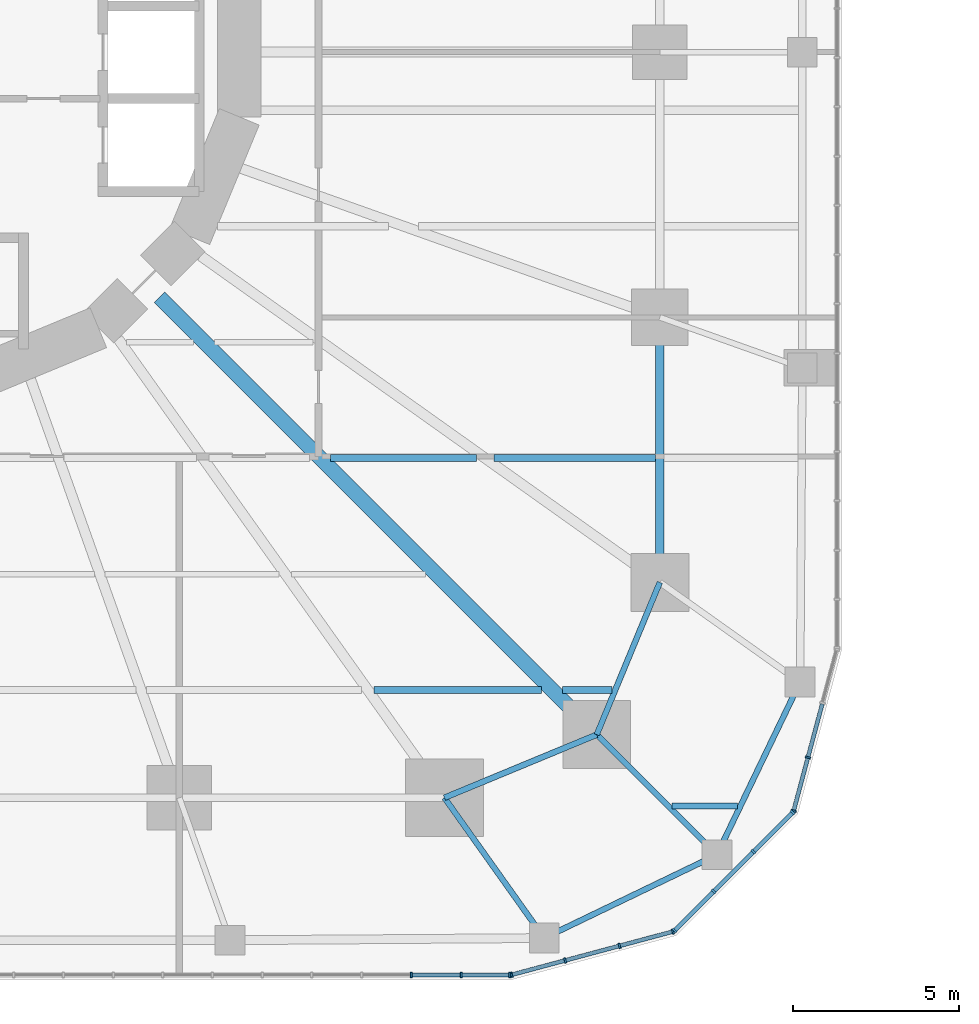
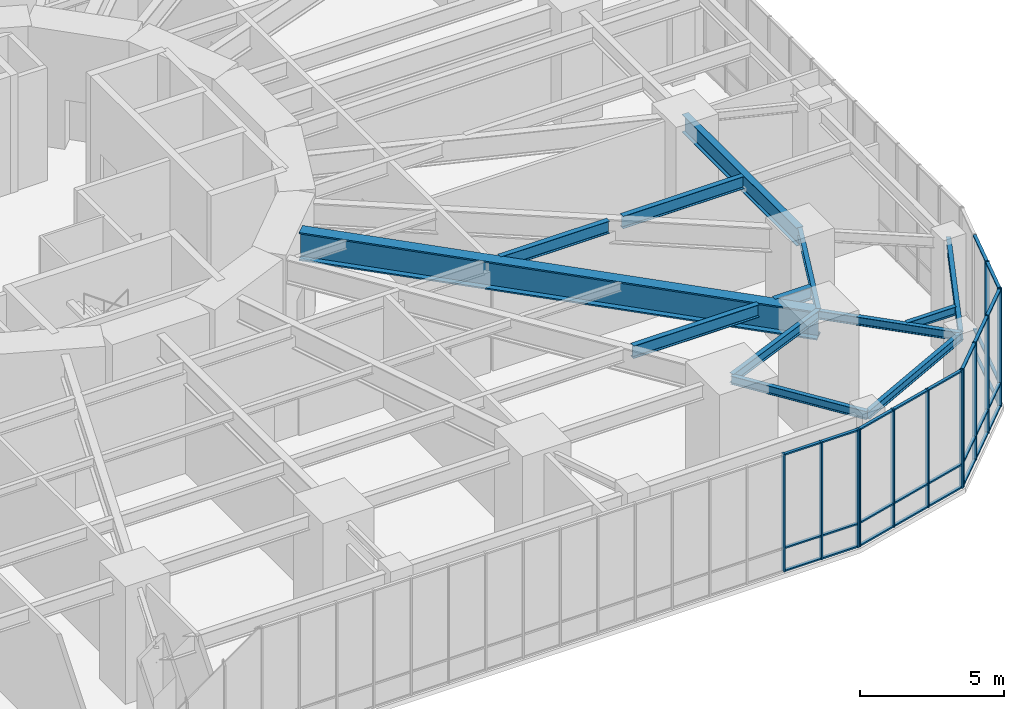
# One storey, part 7 of 24: 43 members, 13 beams, 4 elements without a shape of their own.
"""IFC4 building model written with IfcOpenShell, lengths in metres."""

import ifcopenshell
import ifcopenshell.guid

model = None  # the IFC model being written
_history = None  # IfcOwnerHistory: only IFC2X3 demands one
_inside = {}  # id of a spatial element -> (the spatial element, [elements in it])
_under = {}  # id of a project, library or spatial element -> (it, [spatial elements below it])
_declared = {}  # id of a project -> (the project, [libraries it declares])
_typed = {}  # id of a type object -> (the type object, [elements of that type])
_made_of = {}  # id of a material, layer set ... -> (it, [elements and type objects made of it])


def new_model(schema):
    """Start an empty IFC model of exactly this schema.

    Asked for "IFC4X3", IfcOpenShell would pick the latest addendum, in which some entities
    have other attributes; the version numbers below select the first issue.
    IFC2X3 requires an IfcOwnerHistory on every rooted entity: one is made here for all.
    """
    global model, _history
    if schema == "IFC4X3":
        model = ifcopenshell.file(schema_version=(4, 3, 0, 0))
    else:
        model = ifcopenshell.file(schema=schema)
    _inside.clear()
    _under.clear()
    _declared.clear()
    _typed.clear()
    _made_of.clear()
    _history = None
    if model.schema == "IFC2X3":
        org = make("IfcOrganization", Name="unknown")
        user = make(
            "IfcPersonAndOrganization",
            ThePerson=make("IfcPerson", FamilyName="unknown"),
            TheOrganization=org,
        )
        app = make(
            "IfcApplication",
            ApplicationDeveloper=org,
            Version="unknown",
            ApplicationFullName="unknown",
            ApplicationIdentifier="unknown",
        )
        _history = make(
            "IfcOwnerHistory",
            OwningUser=user,
            OwningApplication=app,
            ChangeAction="ADDED",
            CreationDate=0,
        )
    return model


def make(cls, **values):
    """One entity of the class cls with the attributes given. An attribute that is None is left unset."""
    return model.create_entity(
        cls, **{name: value for name, value in values.items() if value is not None}
    )


def rooted(cls, **values):
    """An entity with a GlobalId (a new one), such as an element, a storey or a relation."""
    return make(cls, GlobalId=ifcopenshell.guid.new(), OwnerHistory=_history, **values)


def si_unit(unit_type, name, prefix=None):
    """IfcSIUnit, for example si_unit("LENGTHUNIT", "METRE", prefix="MILLI")."""
    return make("IfcSIUnit", UnitType=unit_type, Prefix=prefix, Name=name)


def assignment(units):
    """IfcUnitAssignment: the units of a project."""
    return None if units is None else make("IfcUnitAssignment", Units=units)


def point(xyz):
    """IfcCartesianPoint."""
    return None if xyz is None else make("IfcCartesianPoint", Coordinates=xyz)


def direction(xyz):
    """IfcDirection."""
    return None if xyz is None else make("IfcDirection", DirectionRatios=xyz)


def frame(location, z_axis=None, x_axis=None):
    """IfcAxis2Placement3D, a coordinate frame: its origin and axes. An axis left out is left unset."""
    return make(
        "IfcAxis2Placement3D",
        Location=point(location),
        Axis=direction(z_axis),
        RefDirection=direction(x_axis),
    )


def frame_2d(location, x_axis=None):
    """IfcAxis2Placement2D, a coordinate frame in the plane: its origin and x axis."""
    return make(
        "IfcAxis2Placement2D", Location=point(location), RefDirection=direction(x_axis)
    )


def origin():
    """The frame at (0, 0, 0) with its axes left unset."""
    return frame((0.0, 0.0, 0.0))


def origin_2d():
    """The frame at (0, 0) in the plane with its x axis left unset."""
    return frame_2d((0.0, 0.0))


def place(relative_to, where):
    """IfcLocalPlacement: puts the frame where relative to a parent placement (None: the world)."""
    return make(
        "IfcLocalPlacement", PlacementRelTo=relative_to, RelativePlacement=where
    )


def context(
    kind, dimensions, precision=None, world=None, true_north=None, identifier=None
):
    """IfcGeometricRepresentationContext, for example the 3D "Model" context."""
    return make(
        "IfcGeometricRepresentationContext",
        ContextIdentifier=identifier,
        ContextType=kind,
        CoordinateSpaceDimension=dimensions,
        Precision=precision,
        WorldCoordinateSystem=world,
        TrueNorth=true_north,
    )


def subcontext(parent, identifier, kind, view, scale=None):
    """IfcGeometricRepresentationSubContext, for example "Body" below "Model"."""
    return make(
        "IfcGeometricRepresentationSubContext",
        ContextIdentifier=identifier,
        ContextType=kind,
        ParentContext=parent,
        TargetScale=scale,
        TargetView=view,
    )


def project(units=None, contexts=None):
    """IfcProject with its units and contexts."""
    return rooted(
        "IfcProject",
        Name="project",
        RepresentationContexts=contexts,
        UnitsInContext=assignment(units),
    )


def spatial(cls, under=None, at=None, **own):
    """A site, building, storey or space (cls), placed at a placement, below another one or the project."""
    s = rooted(cls, ObjectPlacement=at, **own)
    if under is not None:
        _under.setdefault(under.id(), (under, []))[1].append(s)
    return s


def profile(cls, at=None, kind="AREA", **sizes):
    """A parametric profile (cls). Its sizes go by their IFC names, for example OverallWidth=200.0."""
    return make(cls, ProfileType=kind, Position=at, **sizes)


def rectangle(**sizes):
    """IfcRectangleProfileDef."""
    return profile("IfcRectangleProfileDef", **sizes)


def i_section(**sizes):
    """IfcIShapeProfileDef."""
    return profile("IfcIShapeProfileDef", **sizes)


def extrude(swept, where, along, depth):
    """IfcExtrudedAreaSolid: the profile swept, set in the frame where, extruded along a direction by depth."""
    return make(
        "IfcExtrudedAreaSolid",
        SweptArea=swept,
        Position=where,
        ExtrudedDirection=direction(along),
        Depth=depth,
    )


def shape(context_of_items, identifier, shape_type, items):
    """IfcShapeRepresentation: the items that make up one representation, for example the "Body"."""
    return make(
        "IfcShapeRepresentation",
        ContextOfItems=context_of_items,
        RepresentationIdentifier=identifier,
        RepresentationType=shape_type,
        Items=items,
    )


def material(Name=None, Category=None):
    """IfcMaterial."""
    return make("IfcMaterial", Name=Name, Category=Category)


def material_profile(
    of_material, cross_section, Name=None, Category=None, Priority=None
):
    """IfcMaterialProfile: a cross section and its material."""
    return make(
        "IfcMaterialProfile",
        Name=Name,
        Material=of_material,
        Profile=cross_section,
        Priority=Priority,
        Category=Category,
    )


def profile_set(profiles, Name=None, composite=None):
    """IfcMaterialProfileSet."""
    return make(
        "IfcMaterialProfileSet",
        Name=Name,
        MaterialProfiles=profiles,
        CompositeProfile=composite,
    )


def made_of(thing, what):
    """Note that an element or type object is made of a material, layer set ...; save() writes the relation."""
    if what is not None:
        _made_of.setdefault(what.id(), (what, []))[1].append(thing)
    return thing


def type_object(cls, material=None, **own):
    """A type object (cls), such as IfcWallType, which elements share."""
    return made_of(rooted(cls, **own), material)


def element(
    cls,
    number,
    at=None,
    inside=None,
    cuts=None,
    type_object=None,
    material=None,
    context=None,
    identifier="Body",
    shape_type=None,
    held_by="IfcProductDefinitionShape",
    body=None,
    shapes=None,
    **own,
):
    """One element of the class cls, such as IfcWall. Its Tag is "e" and its number.

    at: its placement. inside: the storey or other place that contains it. cuts: it is an
    opening in that element (IfcRelVoidsElement). A single representation is given by context,
    identifier, shape_type and body (its items); several are given by shapes. held_by: the class
    of the entity that holds the representations. save() writes the other relations.
    """
    e = rooted(cls, Tag="e%d" % number, ObjectPlacement=at, **own)
    if body is not None:
        shapes = [shape(context, identifier, shape_type, body)]
    if shapes is not None:
        e.Representation = make(held_by, Representations=shapes)
    if inside is not None:
        _inside.setdefault(inside.id(), (inside, []))[1].append(e)
    if cuts is not None:
        rooted(
            "IfcRelVoidsElement", RelatingBuildingElement=cuts, RelatedOpeningElement=e
        )
    if type_object is not None:
        _typed.setdefault(type_object.id(), (type_object, []))[1].append(e)
    return made_of(e, material)


def aggregate(whole, parts):
    """IfcRelAggregates: a whole, such as a stair, and the parts it consists of."""
    return rooted("IfcRelAggregates", RelatingObject=whole, RelatedObjects=parts)


def save(model, path):
    """Write the relations noted so far, then the file.

    IfcRelAggregates (storeys below a building ...), IfcRelContainedInSpatialStructure (elements
    in a storey), IfcRelDefinesByType, IfcRelAssociatesMaterial and IfcRelDeclares: one each for
    every whole, place, type object, material and project.
    """
    for whole, parts in _under.values():
        aggregate(whole, parts)
    for where, things in _inside.values():
        rooted(
            "IfcRelContainedInSpatialStructure",
            RelatedElements=things,
            RelatingStructure=where,
        )
    for kind, things in _typed.values():
        rooted("IfcRelDefinesByType", RelatedObjects=things, RelatingType=kind)
    for what, things in _made_of.values():
        rooted("IfcRelAssociatesMaterial", RelatedObjects=things, RelatingMaterial=what)
    for by, libraries in _declared.values():
        rooted("IfcRelDeclares", RelatingContext=by, RelatedDefinitions=libraries)
    model.write(path)


model = new_model("IFC4")

# Units and contexts
model_context = context("Model", 3, precision=1e-05, world=origin(), true_north=direction((0.0, 1.0)))
body_context = subcontext(model_context, "Body", "Model", "MODEL_VIEW")
ifc_project = project(units=[si_unit("LENGTHUNIT", "METRE"), si_unit("AREAUNIT", "SQUARE_METRE"), si_unit("VOLUMEUNIT", "CUBIC_METRE"), si_unit("PLANEANGLEUNIT", "RADIAN"), si_unit("MASSUNIT", "GRAM", prefix="KILO")], contexts=[model_context])

# Site, building, storey
site_placement = place(None, origin())
site = spatial("IfcSite", under=ifc_project, at=site_placement, CompositionType="ELEMENT")
building_placement = place(site_placement, origin())
building = spatial("IfcBuilding", under=site, at=building_placement, Name="Nakasero Lantern House", CompositionType="ELEMENT")
storey_placement = place(building_placement, frame((0.0, 0.0, 11.0)))
storey = spatial("IfcBuildingStorey", under=building, at=storey_placement, Name="L02", CompositionType="ELEMENT", Elevation=11.0)

# Beams
ifc_material_1 = material(Name="Steel S355", Category="steel")
ifc_material_profile_1 = material_profile(ifc_material_1, i_section(OverallWidth=0.17138671875, OverallDepth=0.35498046875, WebThickness=0.00732421875, FlangeThickness=0.011474609375, FilletRadius=0.01025390625, at=origin_2d()), Name="UB 356x171x51")
ifc_profile_set_1 = profile_set([ifc_material_profile_1], Name="Steel S355")
beam_type_1 = type_object("IfcBeamType", Name="Infill beam UB 356x171x51", PredefinedType="JOIST", material=ifc_profile_set_1)
beam_1_placement = place(storey_placement, frame((22.871337890625, -22.75, 4.572509765625), z_axis=(1.0, 0.0, 0.0), x_axis=(0.0, 1.0, 0.0)))
element("IfcBeam", 1, at=beam_1_placement, inside=storey, type_object=beam_type_1, Name="Infill beam L03 02.2", PredefinedType="JOIST", context=body_context, shape_type="SweptSolid", body=[
    extrude(i_section(OverallWidth=0.17138671875, OverallDepth=0.35498046875, WebThickness=0.00732421875, FlangeThickness=0.011474609375, FilletRadius=0.01025390625, at=origin_2d()), origin(), (0.0, 0.0, 1.0), 1.965576171875),
])
ifc_material_2 = material(Name="Steel S355", Category="steel")
ifc_material_profile_2 = material_profile(ifc_material_2, i_section(OverallWidth=0.2099609375, OverallDepth=0.53662109375, WebThickness=0.0107421875, FlangeThickness=0.017333984375, FilletRadius=0.0126953125, at=origin_2d()), Name="UB 533x210x101")
ifc_profile_set_2 = profile_set([ifc_material_profile_2], Name="Steel S355")
beam_type_2 = type_object("IfcBeamType", Name="Infill beam UB 533x210x101", PredefinedType="JOIST", material=ifc_profile_set_2)
beam_2_placement = place(storey_placement, frame((13.878173828125, -19.25, 4.53173828125), z_axis=(1.0, 0.0, 0.0), x_axis=(0.0, 1.0, 0.0)))
element("IfcBeam", 2, at=beam_2_placement, inside=storey, type_object=beam_type_2, Name="Infill beam L03 03.7", PredefinedType="JOIST", context=body_context, shape_type="SweptSolid", body=[
    extrude(i_section(OverallWidth=0.2099609375, OverallDepth=0.53662109375, WebThickness=0.0107421875, FlangeThickness=0.017333984375, FilletRadius=0.0126953125, at=origin_2d()), origin(), (0.0, 0.0, 1.0), 5.0537109375),
])
beam_3_placement = place(storey_placement, frame((19.568115234375, -19.25, 4.53173828125), z_axis=(1.0, 0.0, 0.0), x_axis=(0.0, 1.0, 0.0)))
element("IfcBeam", 3, at=beam_3_placement, inside=storey, type_object=beam_type_2, Name="Infill beam L03 03.8", PredefinedType="JOIST", context=body_context, shape_type="SweptSolid", body=[
    extrude(i_section(OverallWidth=0.2099609375, OverallDepth=0.53662109375, WebThickness=0.0107421875, FlangeThickness=0.017333984375, FilletRadius=0.0126953125, at=origin_2d()), origin(), (0.0, 0.0, 1.0), 1.492919921875),
])
ifc_material_3 = material(Name="Steel S355", Category="steel")
ifc_material_profile_3 = material_profile(ifc_material_3, i_section(OverallWidth=0.208740234375, OverallDepth=0.5283203125, WebThickness=0.009521484375, FlangeThickness=0.01318359375, FilletRadius=0.0126953125, at=origin_2d()), Name="UB 533x210x82")
ifc_profile_set_3 = profile_set([ifc_material_profile_3], Name="Steel S355")
beam_type_3 = type_object("IfcBeamType", Name="Infill beam UB 533x210x82", PredefinedType="JOIST", material=ifc_profile_set_3)
beam_4_placement = place(storey_placement, frame((12.568115234375, -12.25, 4.535888671875), z_axis=(1.0, 0.0, 0.0), x_axis=(0.0, 1.0, 0.0)))
element("IfcBeam", 4, at=beam_4_placement, inside=storey, type_object=beam_type_3, Name="Infill beam L03 05.10", PredefinedType="JOIST", context=body_context, shape_type="SweptSolid", body=[
    extrude(i_section(OverallWidth=0.208740234375, OverallDepth=0.5283203125, WebThickness=0.009521484375, FlangeThickness=0.01318359375, FilletRadius=0.0126953125, at=origin_2d()), origin(), (0.0, 0.0, 1.0), 4.392333984375),
])
beam_5_placement = place(storey_placement, frame((17.49267578125, -12.25, 4.535888671875), z_axis=(1.0, 0.0, 0.0), x_axis=(0.0, 1.0, 0.0)))
element("IfcBeam", 5, at=beam_5_placement, inside=storey, type_object=beam_type_3, Name="Infill beam L03 05.11", PredefinedType="JOIST", context=body_context, shape_type="SweptSolid", body=[
    extrude(i_section(OverallWidth=0.208740234375, OverallDepth=0.5283203125, WebThickness=0.009521484375, FlangeThickness=0.01318359375, FilletRadius=0.0126953125, at=origin_2d()), origin(), (0.0, 0.0, 1.0), 4.8740234375),
])

# Curtain wall, members
ifc_material_4 = material(Name="Aluminium 6063-T6 and glass", Category="aluminium")
curtain_wall_type = type_object("IfcCurtainWallType", Name="Podium curtain wall CW-2", PredefinedType="USERDEFINED", material=ifc_material_4)
curtain_wall_1_placement = place(storey_placement, origin())
curtain_wall_1 = element("IfcCurtainWall", 6, at=curtain_wall_1_placement, inside=storey, type_object=curtain_wall_type, Name="Curtain wall CW-2 L02", ObjectType="STICK CURTAIN WALL", PredefinedType="USERDEFINED")
ifc_material_5 = material(Name="Aluminium 6063-T6", Category="aluminium")
ifc_material_profile_4 = material_profile(ifc_material_5, rectangle(XDim=0.06005859375, YDim=0.159912109375, at=origin_2d()), Name="CW-2 mullion 60x160")
ifc_profile_set_4 = profile_set([ifc_material_profile_4], Name="Aluminium 6063-T6")
member_type_1 = type_object("IfcMemberType", Name="Mullion CW-2", PredefinedType="MULLION", material=ifc_profile_set_4)
member_1_placement = place(storey_placement, frame((15.0, -27.85009765625, 0.0), z_axis=(0.0, 0.0, 1.0), x_axis=(1.0, 0.0, 0.0)))
member_1 = element("IfcMember", 7, at=member_1_placement, type_object=member_type_1, Name="CW-2 mullion 23", PredefinedType="MULLION", context=body_context, shape_type="SweptSolid", body=[
    extrude(rectangle(XDim=0.06005859375, YDim=0.159912109375, at=origin_2d()), origin(), (0.0, 0.0, 1.0), 5.0),
])
member_2_placement = place(storey_placement, frame((16.5, -27.85009765625, 0.0), z_axis=(0.0, 0.0, 1.0), x_axis=(1.0, 0.0, 0.0)))
member_2 = element("IfcMember", 8, at=member_2_placement, type_object=member_type_1, Name="CW-2 mullion 24", PredefinedType="MULLION", context=body_context, shape_type="SweptSolid", body=[
    extrude(rectangle(XDim=0.06005859375, YDim=0.159912109375, at=origin_2d()), origin(), (0.0, 0.0, 1.0), 5.0),
])
member_3_placement = place(storey_placement, frame((17.969970703125, -27.85009765625, 0.0), z_axis=(0.0, 0.0, 1.0), x_axis=(1.0, 0.0, 0.0)))
member_3 = element("IfcMember", 9, at=member_3_placement, type_object=member_type_1, Name="CW-2 mullion 25", PredefinedType="MULLION", context=body_context, shape_type="SweptSolid", body=[
    extrude(rectangle(XDim=0.06005859375, YDim=0.159912109375, at=origin_2d()), origin(), (0.0, 0.0, 1.0), 5.0),
])

curtain_wall_2_placement = place(storey_placement, origin())
curtain_wall_2 = element("IfcCurtainWall", 10, at=curtain_wall_2_placement, inside=storey, type_object=curtain_wall_type, Name="Curtain wall CW-2 L02", ObjectType="STICK CURTAIN WALL", PredefinedType="USERDEFINED")
member_4_placement = place(storey_placement, frame((18.029052734375, -27.84228515625, 0.0), z_axis=(0.0, 0.0, 1.0), x_axis=(0.965925826289, 0.258819045103, 0.0)))
member_4 = element("IfcMember", 11, at=member_4_placement, type_object=member_type_1, Name="CW-2 mullion 1", PredefinedType="MULLION", context=body_context, shape_type="SweptSolid", body=[
    extrude(rectangle(XDim=0.06005859375, YDim=0.159912109375, at=origin_2d()), origin(), (0.0, 0.0, 1.0), 5.0),
])
member_5_placement = place(storey_placement, frame((19.6416015625, -27.41015625, 0.0), z_axis=(0.0, 0.0, 1.0), x_axis=(0.965925826289, 0.258819045103, 0.0)))
member_5 = element("IfcMember", 12, at=member_5_placement, type_object=member_type_1, Name="CW-2 mullion 2", PredefinedType="MULLION", context=body_context, shape_type="SweptSolid", body=[
    extrude(rectangle(XDim=0.06005859375, YDim=0.159912109375, at=origin_2d()), origin(), (0.0, 0.0, 1.0), 5.0),
])
member_6_placement = place(storey_placement, frame((21.283447265625, -26.97021484375, 0.0), z_axis=(0.0, 0.0, 1.0), x_axis=(0.965925826289, 0.258819045103, 0.0)))
member_6 = element("IfcMember", 13, at=member_6_placement, type_object=member_type_1, Name="CW-2 mullion 3", PredefinedType="MULLION", context=body_context, shape_type="SweptSolid", body=[
    extrude(rectangle(XDim=0.06005859375, YDim=0.159912109375, at=origin_2d()), origin(), (0.0, 0.0, 1.0), 5.0),
])
member_7_placement = place(storey_placement, frame((22.89599609375, -26.5380859375, 0.0), z_axis=(0.0, 0.0, 1.0), x_axis=(0.965925826289, 0.258819045103, 0.0)))
member_7 = element("IfcMember", 14, at=member_7_placement, type_object=member_type_1, Name="CW-2 mullion 4", PredefinedType="MULLION", context=body_context, shape_type="SweptSolid", body=[
    extrude(rectangle(XDim=0.06005859375, YDim=0.159912109375, at=origin_2d()), origin(), (0.0, 0.0, 1.0), 5.0),
])

curtain_wall_3_placement = place(storey_placement, origin())
curtain_wall_3 = element("IfcCurtainWall", 15, at=curtain_wall_3_placement, inside=storey, type_object=curtain_wall_type, Name="Curtain wall CW-2 L02", ObjectType="STICK CURTAIN WALL", PredefinedType="USERDEFINED")
member_8_placement = place(storey_placement, frame((22.9462890625, -26.509033203125, 0.0), z_axis=(0.0, 0.0, 1.0), x_axis=(0.707106781187, 0.707106781187, 0.0)))
member_8 = element("IfcMember", 16, at=member_8_placement, type_object=member_type_1, Name="CW-2 mullion 1", PredefinedType="MULLION", context=body_context, shape_type="SweptSolid", body=[
    extrude(rectangle(XDim=0.06005859375, YDim=0.159912109375, at=origin_2d()), origin(), (0.0, 0.0, 1.0), 5.0),
])
member_9_placement = place(storey_placement, frame((24.126708984375, -25.32861328125, 0.0), z_axis=(0.0, 0.0, 1.0), x_axis=(0.707106781187, 0.707106781187, 0.0)))
member_9 = element("IfcMember", 17, at=member_9_placement, type_object=member_type_1, Name="CW-2 mullion 2", PredefinedType="MULLION", context=body_context, shape_type="SweptSolid", body=[
    extrude(rectangle(XDim=0.06005859375, YDim=0.159912109375, at=origin_2d()), origin(), (0.0, 0.0, 1.0), 5.0),
])
member_10_placement = place(storey_placement, frame((25.32861328125, -24.126708984375, 0.0), z_axis=(0.0, 0.0, 1.0), x_axis=(0.707106781187, 0.707106781187, 0.0)))
member_10 = element("IfcMember", 18, at=member_10_placement, type_object=member_type_1, Name="CW-2 mullion 3", PredefinedType="MULLION", context=body_context, shape_type="SweptSolid", body=[
    extrude(rectangle(XDim=0.06005859375, YDim=0.159912109375, at=origin_2d()), origin(), (0.0, 0.0, 1.0), 5.0),
])
member_11_placement = place(storey_placement, frame((26.509033203125, -22.9462890625, 0.0), z_axis=(0.0, 0.0, 1.0), x_axis=(0.707106781187, 0.707106781187, 0.0)))
member_11 = element("IfcMember", 19, at=member_11_placement, type_object=member_type_1, Name="CW-2 mullion 4", PredefinedType="MULLION", context=body_context, shape_type="SweptSolid", body=[
    extrude(rectangle(XDim=0.06005859375, YDim=0.159912109375, at=origin_2d()), origin(), (0.0, 0.0, 1.0), 5.0),
])

curtain_wall_4_placement = place(storey_placement, origin())
curtain_wall_4 = element("IfcCurtainWall", 20, at=curtain_wall_4_placement, inside=storey, type_object=curtain_wall_type, Name="Curtain wall CW-2 L02", ObjectType="STICK CURTAIN WALL", PredefinedType="USERDEFINED")
member_12_placement = place(storey_placement, frame((26.5380859375, -22.89599609375, 0.0), z_axis=(0.0, 0.0, 1.0), x_axis=(0.258819045103, 0.965925826289, 0.0)))
member_12 = element("IfcMember", 21, at=member_12_placement, type_object=member_type_1, Name="CW-2 mullion 1", PredefinedType="MULLION", context=body_context, shape_type="SweptSolid", body=[
    extrude(rectangle(XDim=0.06005859375, YDim=0.159912109375, at=origin_2d()), origin(), (0.0, 0.0, 1.0), 5.0),
])
member_13_placement = place(storey_placement, frame((26.97021484375, -21.283447265625, 0.0), z_axis=(0.0, 0.0, 1.0), x_axis=(0.258819045103, 0.965925826289, 0.0)))
member_13 = element("IfcMember", 22, at=member_13_placement, type_object=member_type_1, Name="CW-2 mullion 2", PredefinedType="MULLION", context=body_context, shape_type="SweptSolid", body=[
    extrude(rectangle(XDim=0.06005859375, YDim=0.159912109375, at=origin_2d()), origin(), (0.0, 0.0, 1.0), 5.0),
])

# Beams
ifc_material_6 = material(Name="Steel S355", Category="steel")
ifc_material_profile_5 = material_profile(ifc_material_6, i_section(OverallWidth=0.449951171875, OverallDepth=1.199951171875, WebThickness=0.02490234375, FlangeThickness=0.06005859375, at=origin_2d()), Name="PG 1200x450x636")
ifc_profile_set_5 = profile_set([ifc_material_profile_5], Name="Steel S355")
beam_type_4 = type_object("IfcBeamType", Name="Primary beam PG 1200x450x636, span over 15 m", PredefinedType="BEAM", material=ifc_profile_set_5)
beam_6_placement = place(storey_placement, frame((20.59619140625, -20.59619140625, 4.199951171875), z_axis=(-0.707106781187, 0.707106781187, 0.0), x_axis=(-0.707106781187, -0.707106781187, 0.0)))
element("IfcBeam", 23, at=beam_6_placement, inside=storey, type_object=beam_type_4, Name="Primary beam L03 B1-C24", PredefinedType="BEAM", context=body_context, shape_type="SweptSolid", body=[
    extrude(i_section(OverallWidth=0.449951171875, OverallDepth=1.199951171875, WebThickness=0.02490234375, FlangeThickness=0.06005859375, at=origin_2d()), origin(), (0.0, 0.0, 1.0), 18.669677734375),
])
ifc_material_7 = material(Name="Steel S355", Category="steel")
ifc_material_profile_6 = material_profile(ifc_material_7, i_section(OverallWidth=0.17138671875, OverallDepth=0.35498046875, WebThickness=0.00732421875, FlangeThickness=0.011474609375, FilletRadius=0.01025390625, at=origin_2d()), Name="UB 356x171x51")
ifc_profile_set_6 = profile_set([ifc_material_profile_6], Name="Steel S355")
beam_type_5 = type_object("IfcBeamType", Name="Primary beam UB 356x171x51, span to 6 m", PredefinedType="BEAM", material=ifc_profile_set_6)
beam_7_placement = place(storey_placement, frame((19.0107421875, -26.733642578125, 4.572509765625), z_axis=(-0.57954320692, 0.814941514044, 0.0), x_axis=(-0.814941514044, -0.57954320692, 0.0)))
element("IfcBeam", 24, at=beam_7_placement, inside=storey, type_object=beam_type_5, Name="Primary beam L03 POD-C23", PredefinedType="BEAM", context=body_context, shape_type="SweptSolid", body=[
    extrude(i_section(OverallWidth=0.17138671875, OverallDepth=0.35498046875, WebThickness=0.00732421875, FlangeThickness=0.011474609375, FilletRadius=0.01025390625, at=origin_2d()), origin(), (0.0, 0.0, 1.0), 5.195068359375),
])
beam_8_placement = place(storey_placement, frame((24.22265625, -24.22265625, 4.572509765625), z_axis=(-0.707106781187, 0.707106781187, 0.0), x_axis=(-0.707106781187, -0.707106781187, 0.0)))
element("IfcBeam", 25, at=beam_8_placement, inside=storey, type_object=beam_type_5, Name="Primary beam L03 POD-C24", PredefinedType="BEAM", context=body_context, shape_type="SweptSolid", body=[
    extrude(i_section(OverallWidth=0.17138671875, OverallDepth=0.35498046875, WebThickness=0.00732421875, FlangeThickness=0.011474609375, FilletRadius=0.01025390625, at=origin_2d()), origin(), (0.0, 0.0, 1.0), 5.128662109375),
])
ifc_material_8 = material(Name="Steel S355", Category="steel")
ifc_material_profile_7 = material_profile(ifc_material_8, i_section(OverallWidth=0.17138671875, OverallDepth=0.35498046875, WebThickness=0.00732421875, FlangeThickness=0.011474609375, FilletRadius=0.01025390625, at=origin_2d()), Name="UB 356x171x51")
ifc_profile_set_7 = profile_set([ifc_material_profile_7], Name="Steel S355")
beam_type_6 = type_object("IfcBeamType", Name="Ring beam UB 356x171x51", PredefinedType="BEAM", material=ifc_profile_set_7)
beam_9_placement = place(storey_placement, frame((20.59619140625, -20.59619140625, 4.62255859375), z_axis=(0.382684080569, 0.923879264016, 0.0), x_axis=(-0.923879264016, 0.382684080569, 0.0)))
element("IfcBeam", 26, at=beam_9_placement, inside=storey, type_object=beam_type_6, Name="Ring beam L03 B1-C24", PredefinedType="BEAM", context=body_context, shape_type="SweptSolid", body=[
    extrude(i_section(OverallWidth=0.17138671875, OverallDepth=0.35498046875, WebThickness=0.00732421875, FlangeThickness=0.011474609375, FilletRadius=0.01025390625, at=origin_2d()), origin(), (0.0, 0.0, 1.0), 4.974853515625),
])
for number, where, z_axis, x_axis, name in (
    (27, (19.0107421875, -26.733642578125, 4.572509765625), (0.900897176145, 0.434032577134, 0.0), (-0.434032577134, 0.900897176145, 0.0), "Ring beam L03 POD-C23"),
    (28, (24.22265625, -24.22265625, 4.572509765625), (0.434032577134, 0.900897176145, 0.0), (-0.900897176145, 0.434032577134, 0.0), "Ring beam L03 POD-C24"),
):
    element("IfcBeam", number, at=place(storey_placement, frame(where, z_axis=z_axis, x_axis=x_axis)), inside=storey, type_object=beam_type_6, Name=name, PredefinedType="BEAM", context=body_context, shape_type="SweptSolid", body=[
        extrude(i_section(OverallWidth=0.17138671875, OverallDepth=0.35498046875, WebThickness=0.00732421875, FlangeThickness=0.011474609375, FilletRadius=0.01025390625, at=origin_2d()), origin(), (0.0, 0.0, 1.0), 5.78515625),
    ])
ifc_material_9 = material(Name="Steel S355", Category="steel")
ifc_material_profile_8 = material_profile(ifc_material_9, i_section(OverallWidth=0.177978515625, OverallDepth=0.406494140625, WebThickness=0.0078125, FlangeThickness=0.0126953125, FilletRadius=0.01025390625, at=origin_2d()), Name="UB 406x178x60")
ifc_profile_set_8 = profile_set([ifc_material_profile_8], Name="Steel S355")
beam_type_7 = type_object("IfcBeamType", Name="Ring beam UB 406x178x60", PredefinedType="BEAM", material=ifc_profile_set_8)
beam_10_placement = place(storey_placement, frame((16.0, -22.5, 4.5966796875), z_axis=(0.923879264016, 0.382684080569, 0.0), x_axis=(-0.382684080569, 0.923879264016, 0.0)))
element("IfcBeam", 29, at=beam_10_placement, inside=storey, type_object=beam_type_7, Name="Ring beam L03 B1-C23", PredefinedType="BEAM", context=body_context, shape_type="SweptSolid", body=[
    extrude(i_section(OverallWidth=0.177978515625, OverallDepth=0.406494140625, WebThickness=0.0078125, FlangeThickness=0.0126953125, FilletRadius=0.01025390625, at=origin_2d()), origin(), (0.0, 0.0, 1.0), 4.974853515625),
])
ifc_material_10 = material(Name="Steel S355", Category="steel")
ifc_material_profile_9 = material_profile(ifc_material_10, i_section(OverallWidth=0.2666015625, OverallDepth=0.76220703125, WebThickness=0.014404296875, FlangeThickness=0.021484375, FilletRadius=0.0166015625, at=origin_2d()), Name="UB 762x267x173")
ifc_profile_set_9 = profile_set([ifc_material_profile_9], Name="Steel S355")
beam_type_8 = type_object("IfcBeamType", Name="Ring beam UB 762x267x173", PredefinedType="BEAM", material=ifc_profile_set_9)
beam_11_placement = place(storey_placement, frame((22.5, -16.0, 4.4189453125), z_axis=(0.0, 1.0, 0.0), x_axis=(-1.0, 0.0, 0.0)))
element("IfcBeam", 30, at=beam_11_placement, inside=storey, type_object=beam_type_8, Name="Ring beam L03 B1-C01", PredefinedType="BEAM", context=body_context, shape_type="SweptSolid", body=[
    extrude(i_section(OverallWidth=0.2666015625, OverallDepth=0.76220703125, WebThickness=0.014404296875, FlangeThickness=0.021484375, FilletRadius=0.0166015625, at=origin_2d()), origin(), (0.0, 0.0, 1.0), 8.0),
])

# Member
ifc_material_11 = material(Name="Aluminium 6063-T6", Category="aluminium")
ifc_material_profile_10 = material_profile(ifc_material_11, rectangle(XDim=0.06005859375, YDim=0.1201171875, at=origin_2d()), Name="CW-2 transom 60x120")
ifc_profile_set_10 = profile_set([ifc_material_profile_10], Name="Aluminium 6063-T6")
member_type_2 = type_object("IfcMemberType", Name="Transom CW-2", PredefinedType="USERDEFINED", material=ifc_profile_set_10)
member_14_placement = place(storey_placement, frame((15.030029296875, -27.85009765625, 0.030029296875), z_axis=(1.0, 0.0, 0.0), x_axis=(0.0, 0.0, 1.0)))
member_14 = element("IfcMember", 31, at=member_14_placement, type_object=member_type_2, Name="CW-2 transom 23.1", ObjectType="TRANSOM", PredefinedType="USERDEFINED", context=body_context, shape_type="SweptSolid", body=[
    extrude(rectangle(XDim=0.06005859375, YDim=0.1201171875, at=origin_2d()), origin(), (0.0, 0.0, 1.0), 1.43994140625),
])

member_15_placement = place(storey_placement, frame((15.030029296875, -27.85009765625, 1.0), z_axis=(1.0, 0.0, 0.0), x_axis=(0.0, 0.0, 1.0)))
member_15 = element("IfcMember", 32, at=member_15_placement, type_object=member_type_2, Name="CW-2 transom 23.2", ObjectType="TRANSOM", PredefinedType="USERDEFINED", context=body_context, shape_type="SweptSolid", body=[
    extrude(rectangle(XDim=0.06005859375, YDim=0.1201171875, at=origin_2d()), origin(), (0.0, 0.0, 1.0), 1.43994140625),
])

member_16_placement = place(storey_placement, frame((15.030029296875, -27.85009765625, 4.969970703125), z_axis=(1.0, 0.0, 0.0), x_axis=(0.0, 0.0, 1.0)))
member_16 = element("IfcMember", 33, at=member_16_placement, type_object=member_type_2, Name="CW-2 transom 23.3", ObjectType="TRANSOM", PredefinedType="USERDEFINED", context=body_context, shape_type="SweptSolid", body=[
    extrude(rectangle(XDim=0.06005859375, YDim=0.1201171875, at=origin_2d()), origin(), (0.0, 0.0, 1.0), 1.43994140625),
])

member_17_placement = place(storey_placement, frame((16.530029296875, -27.85009765625, 0.030029296875), z_axis=(1.0, 0.0, 0.0), x_axis=(0.0, 0.0, 1.0)))
member_17 = element("IfcMember", 34, at=member_17_placement, type_object=member_type_2, Name="CW-2 transom 24.1", ObjectType="TRANSOM", PredefinedType="USERDEFINED", context=body_context, shape_type="SweptSolid", body=[
    extrude(rectangle(XDim=0.06005859375, YDim=0.1201171875, at=origin_2d()), origin(), (0.0, 0.0, 1.0), 1.409912109375),
])

member_18_placement = place(storey_placement, frame((16.530029296875, -27.85009765625, 1.0), z_axis=(1.0, 0.0, 0.0), x_axis=(0.0, 0.0, 1.0)))
member_18 = element("IfcMember", 35, at=member_18_placement, type_object=member_type_2, Name="CW-2 transom 24.2", ObjectType="TRANSOM", PredefinedType="USERDEFINED", context=body_context, shape_type="SweptSolid", body=[
    extrude(rectangle(XDim=0.06005859375, YDim=0.1201171875, at=origin_2d()), origin(), (0.0, 0.0, 1.0), 1.409912109375),
])

member_19_placement = place(storey_placement, frame((16.530029296875, -27.85009765625, 4.969970703125), z_axis=(1.0, 0.0, 0.0), x_axis=(0.0, 0.0, 1.0)))
member_19 = element("IfcMember", 36, at=member_19_placement, type_object=member_type_2, Name="CW-2 transom 24.3", ObjectType="TRANSOM", PredefinedType="USERDEFINED", context=body_context, shape_type="SweptSolid", body=[
    extrude(rectangle(XDim=0.06005859375, YDim=0.1201171875, at=origin_2d()), origin(), (0.0, 0.0, 1.0), 1.409912109375),
])

aggregate(curtain_wall_1, [member_1, member_2, member_3, member_14, member_15, member_16, member_17, member_18, member_19])

member_20_placement = place(storey_placement, frame((18.057861328125, -27.83447265625, 0.030029296875), z_axis=(0.96594737463, 0.258738612203, 0.0), x_axis=(0.0, 0.0, 1.0)))
member_20 = element("IfcMember", 37, at=member_20_placement, type_object=member_type_2, Name="CW-2 transom 1.1", ObjectType="TRANSOM", PredefinedType="USERDEFINED", context=body_context, shape_type="SweptSolid", body=[
    extrude(rectangle(XDim=0.06005859375, YDim=0.1201171875, at=origin_2d()), origin(), (0.0, 0.0, 1.0), 1.60986328125),
])

member_21_placement = place(storey_placement, frame((18.057861328125, -27.83447265625, 1.0), z_axis=(0.96594737463, 0.258738612203, 0.0), x_axis=(0.0, 0.0, 1.0)))
member_21 = element("IfcMember", 38, at=member_21_placement, type_object=member_type_2, Name="CW-2 transom 1.2", ObjectType="TRANSOM", PredefinedType="USERDEFINED", context=body_context, shape_type="SweptSolid", body=[
    extrude(rectangle(XDim=0.06005859375, YDim=0.1201171875, at=origin_2d()), origin(), (0.0, 0.0, 1.0), 1.60986328125),
])

member_22_placement = place(storey_placement, frame((18.057861328125, -27.83447265625, 4.969970703125), z_axis=(0.96594737463, 0.258738612203, 0.0), x_axis=(0.0, 0.0, 1.0)))
member_22 = element("IfcMember", 39, at=member_22_placement, type_object=member_type_2, Name="CW-2 transom 1.3", ObjectType="TRANSOM", PredefinedType="USERDEFINED", context=body_context, shape_type="SweptSolid", body=[
    extrude(rectangle(XDim=0.06005859375, YDim=0.1201171875, at=origin_2d()), origin(), (0.0, 0.0, 1.0), 1.60986328125),
])

member_23_placement = place(storey_placement, frame((19.670654296875, -27.40234375, 0.030029296875), z_axis=(0.965932765235, 0.258793147214, 0.0), x_axis=(0.0, 0.0, 1.0)))
member_23 = element("IfcMember", 40, at=member_23_placement, type_object=member_type_2, Name="CW-2 transom 2.1", ObjectType="TRANSOM", PredefinedType="USERDEFINED", context=body_context, shape_type="SweptSolid", body=[
    extrude(rectangle(XDim=0.06005859375, YDim=0.1201171875, at=origin_2d()), origin(), (0.0, 0.0, 1.0), 1.6396484375),
])

member_24_placement = place(storey_placement, frame((19.670654296875, -27.40234375, 1.0), z_axis=(0.965932765235, 0.258793147214, 0.0), x_axis=(0.0, 0.0, 1.0)))
member_24 = element("IfcMember", 41, at=member_24_placement, type_object=member_type_2, Name="CW-2 transom 2.2", ObjectType="TRANSOM", PredefinedType="USERDEFINED", context=body_context, shape_type="SweptSolid", body=[
    extrude(rectangle(XDim=0.06005859375, YDim=0.1201171875, at=origin_2d()), origin(), (0.0, 0.0, 1.0), 1.6396484375),
])

member_25_placement = place(storey_placement, frame((19.670654296875, -27.40234375, 4.969970703125), z_axis=(0.965932765235, 0.258793147214, 0.0), x_axis=(0.0, 0.0, 1.0)))
member_25 = element("IfcMember", 42, at=member_25_placement, type_object=member_type_2, Name="CW-2 transom 2.3", ObjectType="TRANSOM", PredefinedType="USERDEFINED", context=body_context, shape_type="SweptSolid", body=[
    extrude(rectangle(XDim=0.06005859375, YDim=0.1201171875, at=origin_2d()), origin(), (0.0, 0.0, 1.0), 1.6396484375),
])

member_26_placement = place(storey_placement, frame((21.312255859375, -26.96240234375, 0.030029296875), z_axis=(0.965937219158, 0.258776522595, 0.0), x_axis=(0.0, 0.0, 1.0)))
member_26 = element("IfcMember", 43, at=member_26_placement, type_object=member_type_2, Name="CW-2 transom 3.1", ObjectType="TRANSOM", PredefinedType="USERDEFINED", context=body_context, shape_type="SweptSolid", body=[
    extrude(rectangle(XDim=0.06005859375, YDim=0.1201171875, at=origin_2d()), origin(), (0.0, 0.0, 1.0), 1.609619140625),
])

member_27_placement = place(storey_placement, frame((21.312255859375, -26.96240234375, 1.0), z_axis=(0.965937219158, 0.258776522595, 0.0), x_axis=(0.0, 0.0, 1.0)))
member_27 = element("IfcMember", 44, at=member_27_placement, type_object=member_type_2, Name="CW-2 transom 3.2", ObjectType="TRANSOM", PredefinedType="USERDEFINED", context=body_context, shape_type="SweptSolid", body=[
    extrude(rectangle(XDim=0.06005859375, YDim=0.1201171875, at=origin_2d()), origin(), (0.0, 0.0, 1.0), 1.609619140625),
])

member_28_placement = place(storey_placement, frame((21.312255859375, -26.96240234375, 4.969970703125), z_axis=(0.965937219158, 0.258776522595, 0.0), x_axis=(0.0, 0.0, 1.0)))
member_28 = element("IfcMember", 45, at=member_28_placement, type_object=member_type_2, Name="CW-2 transom 3.3", ObjectType="TRANSOM", PredefinedType="USERDEFINED", context=body_context, shape_type="SweptSolid", body=[
    extrude(rectangle(XDim=0.06005859375, YDim=0.1201171875, at=origin_2d()), origin(), (0.0, 0.0, 1.0), 1.609619140625),
])

aggregate(curtain_wall_2, [member_4, member_5, member_6, member_7, member_20, member_21, member_22, member_23, member_24, member_25, member_26, member_27, member_28])

member_29_placement = place(storey_placement, frame((22.967529296875, -26.488037109375, 0.030029296875), z_axis=(0.707030931707, 0.707182622531, 0.0), x_axis=(0.0, 0.0, 1.0)))
member_29 = element("IfcMember", 46, at=member_29_placement, type_object=member_type_2, Name="CW-2 transom 1.1", ObjectType="TRANSOM", PredefinedType="USERDEFINED", context=body_context, shape_type="SweptSolid", body=[
    extrude(rectangle(XDim=0.06005859375, YDim=0.1201171875, at=origin_2d()), origin(), (0.0, 0.0, 1.0), 1.609375),
])

member_30_placement = place(storey_placement, frame((22.967529296875, -26.488037109375, 1.0), z_axis=(0.707030931707, 0.707182622531, 0.0), x_axis=(0.0, 0.0, 1.0)))
member_30 = element("IfcMember", 47, at=member_30_placement, type_object=member_type_2, Name="CW-2 transom 1.2", ObjectType="TRANSOM", PredefinedType="USERDEFINED", context=body_context, shape_type="SweptSolid", body=[
    extrude(rectangle(XDim=0.06005859375, YDim=0.1201171875, at=origin_2d()), origin(), (0.0, 0.0, 1.0), 1.609375),
])

member_31_placement = place(storey_placement, frame((22.967529296875, -26.488037109375, 4.969970703125), z_axis=(0.707030931707, 0.707182622531, 0.0), x_axis=(0.0, 0.0, 1.0)))
member_31 = element("IfcMember", 48, at=member_31_placement, type_object=member_type_2, Name="CW-2 transom 1.3", ObjectType="TRANSOM", PredefinedType="USERDEFINED", context=body_context, shape_type="SweptSolid", body=[
    extrude(rectangle(XDim=0.06005859375, YDim=0.1201171875, at=origin_2d()), origin(), (0.0, 0.0, 1.0), 1.609375),
])

member_32_placement = place(storey_placement, frame((24.14794921875, -25.307373046875, 0.030029296875), z_axis=(0.707106781187, 0.707106781187, 0.0), x_axis=(0.0, 0.0, 1.0)))
member_32 = element("IfcMember", 49, at=member_32_placement, type_object=member_type_2, Name="CW-2 transom 2.1", ObjectType="TRANSOM", PredefinedType="USERDEFINED", context=body_context, shape_type="SweptSolid", body=[
    extrude(rectangle(XDim=0.06005859375, YDim=0.1201171875, at=origin_2d()), origin(), (0.0, 0.0, 1.0), 1.6396484375),
])

member_33_placement = place(storey_placement, frame((24.14794921875, -25.307373046875, 1.0), z_axis=(0.707106781187, 0.707106781187, 0.0), x_axis=(0.0, 0.0, 1.0)))
member_33 = element("IfcMember", 50, at=member_33_placement, type_object=member_type_2, Name="CW-2 transom 2.2", ObjectType="TRANSOM", PredefinedType="USERDEFINED", context=body_context, shape_type="SweptSolid", body=[
    extrude(rectangle(XDim=0.06005859375, YDim=0.1201171875, at=origin_2d()), origin(), (0.0, 0.0, 1.0), 1.6396484375),
])

member_34_placement = place(storey_placement, frame((24.14794921875, -25.307373046875, 4.969970703125), z_axis=(0.707106781187, 0.707106781187, 0.0), x_axis=(0.0, 0.0, 1.0)))
member_34 = element("IfcMember", 51, at=member_34_placement, type_object=member_type_2, Name="CW-2 transom 2.3", ObjectType="TRANSOM", PredefinedType="USERDEFINED", context=body_context, shape_type="SweptSolid", body=[
    extrude(rectangle(XDim=0.06005859375, YDim=0.1201171875, at=origin_2d()), origin(), (0.0, 0.0, 1.0), 1.6396484375),
])

member_35_placement = place(storey_placement, frame((25.349853515625, -24.10546875, 0.030029296875), z_axis=(0.707182622531, 0.707030931707, 0.0), x_axis=(0.0, 0.0, 1.0)))
member_35 = element("IfcMember", 52, at=member_35_placement, type_object=member_type_2, Name="CW-2 transom 3.1", ObjectType="TRANSOM", PredefinedType="USERDEFINED", context=body_context, shape_type="SweptSolid", body=[
    extrude(rectangle(XDim=0.06005859375, YDim=0.1201171875, at=origin_2d()), origin(), (0.0, 0.0, 1.0), 1.609375),
])

member_36_placement = place(storey_placement, frame((25.349853515625, -24.10546875, 1.0), z_axis=(0.707182622531, 0.707030931707, 0.0), x_axis=(0.0, 0.0, 1.0)))
member_36 = element("IfcMember", 53, at=member_36_placement, type_object=member_type_2, Name="CW-2 transom 3.2", ObjectType="TRANSOM", PredefinedType="USERDEFINED", context=body_context, shape_type="SweptSolid", body=[
    extrude(rectangle(XDim=0.06005859375, YDim=0.1201171875, at=origin_2d()), origin(), (0.0, 0.0, 1.0), 1.609375),
])

member_37_placement = place(storey_placement, frame((25.349853515625, -24.10546875, 4.969970703125), z_axis=(0.707182622531, 0.707030931707, 0.0), x_axis=(0.0, 0.0, 1.0)))
member_37 = element("IfcMember", 54, at=member_37_placement, type_object=member_type_2, Name="CW-2 transom 3.3", ObjectType="TRANSOM", PredefinedType="USERDEFINED", context=body_context, shape_type="SweptSolid", body=[
    extrude(rectangle(XDim=0.06005859375, YDim=0.1201171875, at=origin_2d()), origin(), (0.0, 0.0, 1.0), 1.609375),
])

aggregate(curtain_wall_3, [member_8, member_9, member_10, member_11, member_29, member_30, member_31, member_32, member_33, member_34, member_35, member_36, member_37])

member_38_placement = place(storey_placement, frame((26.5458984375, -22.866943359375, 0.030029296875), z_axis=(0.258776522595, 0.965937219158, 0.0), x_axis=(0.0, 0.0, 1.0)))
member_38 = element("IfcMember", 55, at=member_38_placement, type_object=member_type_2, Name="CW-2 transom 1.1", ObjectType="TRANSOM", PredefinedType="USERDEFINED", context=body_context, shape_type="SweptSolid", body=[
    extrude(rectangle(XDim=0.06005859375, YDim=0.1201171875, at=origin_2d()), origin(), (0.0, 0.0, 1.0), 1.609619140625),
])

member_39_placement = place(storey_placement, frame((26.5458984375, -22.866943359375, 1.0), z_axis=(0.258776522595, 0.965937219158, 0.0), x_axis=(0.0, 0.0, 1.0)))
member_39 = element("IfcMember", 56, at=member_39_placement, type_object=member_type_2, Name="CW-2 transom 1.2", ObjectType="TRANSOM", PredefinedType="USERDEFINED", context=body_context, shape_type="SweptSolid", body=[
    extrude(rectangle(XDim=0.06005859375, YDim=0.1201171875, at=origin_2d()), origin(), (0.0, 0.0, 1.0), 1.609619140625),
])

member_40_placement = place(storey_placement, frame((26.5458984375, -22.866943359375, 4.969970703125), z_axis=(0.258776522595, 0.965937219158, 0.0), x_axis=(0.0, 0.0, 1.0)))
member_40 = element("IfcMember", 57, at=member_40_placement, type_object=member_type_2, Name="CW-2 transom 1.3", ObjectType="TRANSOM", PredefinedType="USERDEFINED", context=body_context, shape_type="SweptSolid", body=[
    extrude(rectangle(XDim=0.06005859375, YDim=0.1201171875, at=origin_2d()), origin(), (0.0, 0.0, 1.0), 1.609619140625),
])

member_41_placement = place(storey_placement, frame((26.97802734375, -21.25439453125, 0.030029296875), z_axis=(0.258793147214, 0.965932765235, 0.0), x_axis=(0.0, 0.0, 1.0)))
member_41 = element("IfcMember", 58, at=member_41_placement, type_object=member_type_2, Name="CW-2 transom 2.1", ObjectType="TRANSOM", PredefinedType="USERDEFINED", context=body_context, shape_type="SweptSolid", body=[
    extrude(rectangle(XDim=0.06005859375, YDim=0.1201171875, at=origin_2d()), origin(), (0.0, 0.0, 1.0), 1.6396484375),
])

member_42_placement = place(storey_placement, frame((26.97802734375, -21.25439453125, 1.0), z_axis=(0.258793147214, 0.965932765235, 0.0), x_axis=(0.0, 0.0, 1.0)))
member_42 = element("IfcMember", 59, at=member_42_placement, type_object=member_type_2, Name="CW-2 transom 2.2", ObjectType="TRANSOM", PredefinedType="USERDEFINED", context=body_context, shape_type="SweptSolid", body=[
    extrude(rectangle(XDim=0.06005859375, YDim=0.1201171875, at=origin_2d()), origin(), (0.0, 0.0, 1.0), 1.6396484375),
])

member_43_placement = place(storey_placement, frame((26.97802734375, -21.25439453125, 4.969970703125), z_axis=(0.258793147214, 0.965932765235, 0.0), x_axis=(0.0, 0.0, 1.0)))
member_43 = element("IfcMember", 60, at=member_43_placement, type_object=member_type_2, Name="CW-2 transom 2.3", ObjectType="TRANSOM", PredefinedType="USERDEFINED", context=body_context, shape_type="SweptSolid", body=[
    extrude(rectangle(XDim=0.06005859375, YDim=0.1201171875, at=origin_2d()), origin(), (0.0, 0.0, 1.0), 1.6396484375),
])

aggregate(curtain_wall_4, [member_12, member_13, member_38, member_39, member_40, member_41, member_42, member_43])

save(model, "model.ifc")
